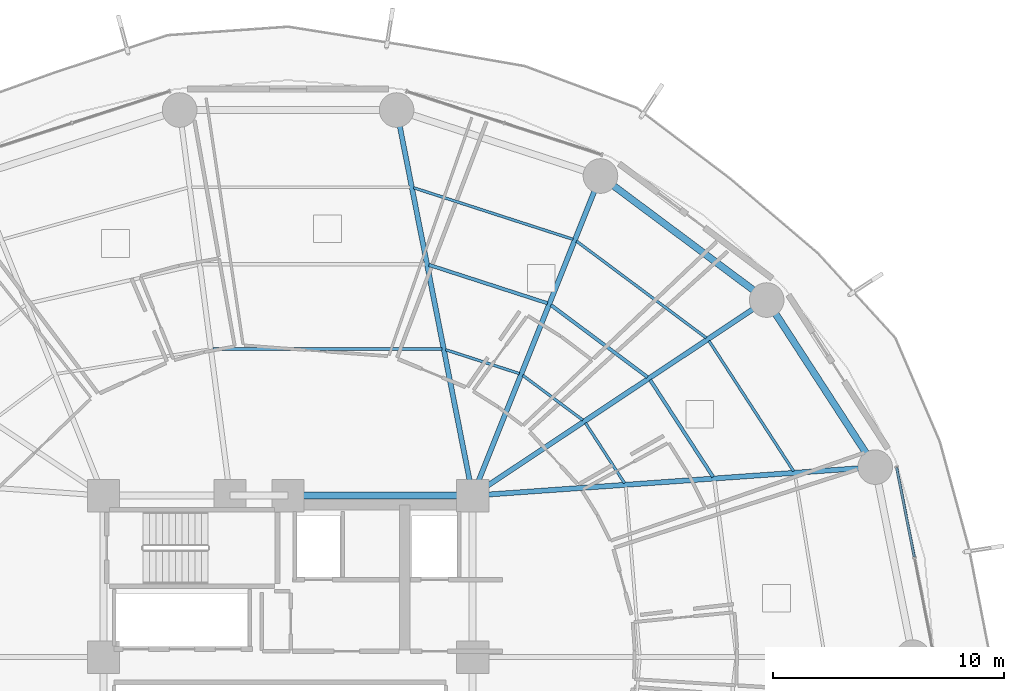
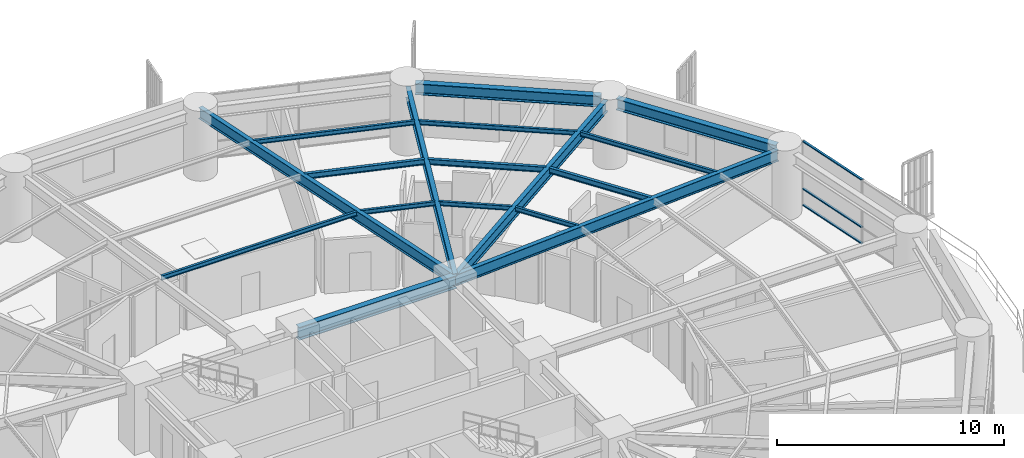
# One storey, part 19 of 32: 17 beams, 3 members, 1 element without a shape of its own.
"""IFC4 building model written with IfcOpenShell, lengths in metres."""

from ifc_helpers import new_model, si_unit, direction, frame, origin, origin_2d, place, context, subcontext, project, spatial, hollow_rectangle, i_section, extrude, material, layer, layer_set, material_profile, profile_set, type_object, element, aggregate, save


model = new_model("IFC4")

# Units and contexts
model_context = context("Model", 3, precision=1e-05, world=origin(), true_north=direction((0.0, 1.0)))
body_context = subcontext(model_context, "Body", "Model", "MODEL_VIEW")
ifc_project = project(units=[si_unit("LENGTHUNIT", "METRE"), si_unit("AREAUNIT", "SQUARE_METRE"), si_unit("VOLUMEUNIT", "CUBIC_METRE"), si_unit("PLANEANGLEUNIT", "RADIAN"), si_unit("MASSUNIT", "GRAM", prefix="KILO")], contexts=[model_context])

# Site, building, storey
site_placement = place(None, origin())
site = spatial("IfcSite", under=ifc_project, at=site_placement, CompositionType="ELEMENT")
building_placement = place(site_placement, origin())
building = spatial("IfcBuilding", under=site, at=building_placement, Name="Kelanora Arch Commons", CompositionType="ELEMENT")
storey_placement = place(building_placement, frame((0.0, 0.0, 60.0)))
storey = spatial("IfcBuildingStorey", under=building, at=storey_placement, Name="L15", CompositionType="ELEMENT", Elevation=60.0)

# Beams
ifc_material_1 = material(Name="Steel S355", Category="steel")
ifc_material_profile_1 = material_profile(ifc_material_1, i_section(OverallWidth=0.300048828125, OverallDepth=0.699951171875, WebThickness=0.01708984375, FlangeThickness=0.031982421875, FilletRadius=0.027099609375, at=origin_2d()), Name="HEB700")
ifc_profile_set_1 = profile_set([ifc_material_profile_1], Name="Steel S355")
beam_type_1 = type_object("IfcBeamType", Name="BM-CORE-HDR", PredefinedType="BEAM", material=ifc_profile_set_1)
beam_1_placement = place(storey_placement, frame((82.0, 65.0, 3.139892578125), z_axis=(-1.0, 0.0, 0.0), x_axis=(0.0, -1.0, 0.0)))
element("IfcBeam", 1, at=beam_1_placement, inside=storey, type_object=beam_type_1, Name="Core Header Beam 05 L15", PredefinedType="BEAM", context=body_context, shape_type="SweptSolid", body=[
    extrude(i_section(OverallWidth=0.300048828125, OverallDepth=0.699951171875, WebThickness=0.01708984375, FlangeThickness=0.031982421875, FilletRadius=0.027099609375, at=origin_2d()), origin(), (0.0, 0.0, 1.0), 8.0),
])
ifc_material_profile_2 = material_profile(ifc_material_1, i_section(OverallWidth=0.14990234375, OverallDepth=0.300048828125, WebThickness=0.007080078125, FlangeThickness=0.0107421875, FilletRadius=0.014892578125, at=origin_2d()), Name="IPE300")
ifc_profile_set_2 = profile_set([ifc_material_profile_2], Name="Steel S355")
beam_type_2 = type_object("IfcBeamType", Name="BM-JST-01", PredefinedType="JOIST", material=ifc_profile_set_2)
beam_2_placement = place(storey_placement, frame((92.421875, 65.812744140625, 3.340087890625), z_axis=(-0.544551588245, 0.838727350061, 0.0), x_axis=(-0.838727350061, -0.544551588245, 0.0)))
element("IfcBeam", 2, at=beam_2_placement, inside=storey, type_object=beam_type_2, Name="Secondary Chord Joist BJB-02 L15", PredefinedType="JOIST", context=body_context, shape_type="SweptSolid", body=[
    extrude(i_section(OverallWidth=0.14990234375, OverallDepth=0.300048828125, WebThickness=0.007080078125, FlangeThickness=0.0107421875, FilletRadius=0.014892578125, at=origin_2d()), origin(), (0.0, 0.0, 1.0), 5.010986328125),
])
beam_3_placement = place(storey_placement, frame((89.57861328125, 70.1376953125, 3.340087890625), z_axis=(-0.801478251559, 0.598023922831, 0.0), x_axis=(-0.598023922831, -0.801478251559, 0.0)))
element("IfcBeam", 3, at=beam_3_placement, inside=storey, type_object=beam_type_2, Name="Secondary Chord Joist BJB-04 L15", PredefinedType="JOIST", context=body_context, shape_type="SweptSolid", body=[
    extrude(i_section(OverallWidth=0.14990234375, OverallDepth=0.300048828125, WebThickness=0.007080078125, FlangeThickness=0.0107421875, FilletRadius=0.014892578125, at=origin_2d()), origin(), (0.0, 0.0, 1.0), 5.223388671875),
])
beam_4_placement = place(storey_placement, frame((85.2431640625, 73.33837890625, 3.340087890625), z_axis=(-0.951412209627, 0.307920131482, 0.0), x_axis=(-0.307920131482, -0.951412209627, 0.0)))
element("IfcBeam", 4, at=beam_4_placement, inside=storey, type_object=beam_type_2, Name="Secondary Chord Joist BJB-06 L15", PredefinedType="JOIST", context=body_context, shape_type="SweptSolid", body=[
    extrude(i_section(OverallWidth=0.14990234375, OverallDepth=0.300048828125, WebThickness=0.007080078125, FlangeThickness=0.0107421875, FilletRadius=0.014892578125, at=origin_2d()), origin(), (0.0, 0.0, 1.0), 5.4033203125),
])
ifc_material_profile_3 = material_profile(ifc_material_1, i_section(OverallWidth=0.1201171875, OverallDepth=0.239990234375, WebThickness=0.006103515625, FlangeThickness=0.009765625, FilletRadius=0.014892578125, at=origin_2d()), Name="IPE240")
ifc_profile_set_3 = profile_set([ifc_material_profile_3], Name="Steel S355")
beam_type_3 = type_object("IfcBeamType", Name="BM-JST-02", PredefinedType="JOIST", material=ifc_profile_set_3)
beam_5_placement = place(storey_placement, frame((88.58349609375, 65.541015625, 3.3701171875), z_axis=(-0.544591105858, 0.838701691557, 0.0), x_axis=(-0.838701691557, -0.544591105858, 0.0)))
element("IfcBeam", 5, at=beam_5_placement, inside=storey, type_object=beam_type_3, Name="Secondary Chord Joist BJA-02 L15", PredefinedType="JOIST", context=body_context, shape_type="SweptSolid", body=[
    extrude(i_section(OverallWidth=0.1201171875, OverallDepth=0.239990234375, WebThickness=0.006103515625, FlangeThickness=0.009765625, FilletRadius=0.014892578125, at=origin_2d()), origin(), (0.0, 0.0, 1.0), 3.111328125),
])
beam_6_placement = place(storey_placement, frame((95.9111328125, 66.059814453125, 3.3701171875), z_axis=(-0.544550165372, 0.838728273873, 0.0), x_axis=(-0.838728273873, -0.544550165372, 0.0)))
element("IfcBeam", 6, at=beam_6_placement, inside=storey, type_object=beam_type_3, Name="Secondary Chord Joist BJC-02 L15", PredefinedType="JOIST", context=body_context, shape_type="SweptSolid", body=[
    extrude(i_section(OverallWidth=0.1201171875, OverallDepth=0.239990234375, WebThickness=0.006103515625, FlangeThickness=0.009765625, FilletRadius=0.014892578125, at=origin_2d()), origin(), (0.0, 0.0, 1.0), 6.738037109375),
])
beam_7_placement = place(storey_placement, frame((86.77490234375, 68.272705078125, 3.3701171875), z_axis=(-0.801513822608, 0.59797624716, 0.0), x_axis=(-0.59797624716, -0.801513822608, 0.0)))
element("IfcBeam", 7, at=beam_7_placement, inside=storey, type_object=beam_type_3, Name="Secondary Chord Joist BJA-04 L15", PredefinedType="JOIST", context=body_context, shape_type="SweptSolid", body=[
    extrude(i_section(OverallWidth=0.1201171875, OverallDepth=0.239990234375, WebThickness=0.006103515625, FlangeThickness=0.009765625, FilletRadius=0.014892578125, at=origin_2d()), origin(), (0.0, 0.0, 1.0), 3.245849609375),
])
beam_8_placement = place(storey_placement, frame((92.12744140625, 71.83349609375, 3.3701171875), z_axis=(-0.80149131963, 0.598006408459, 0.0), x_axis=(-0.598006408459, -0.80149131963, 0.0)))
element("IfcBeam", 8, at=beam_8_placement, inside=storey, type_object=beam_type_3, Name="Secondary Chord Joist BJC-04 L15", PredefinedType="JOIST", context=body_context, shape_type="SweptSolid", body=[
    extrude(i_section(OverallWidth=0.1201171875, OverallDepth=0.239990234375, WebThickness=0.006103515625, FlangeThickness=0.009765625, FilletRadius=0.014892578125, at=origin_2d()), origin(), (0.0, 0.0, 1.0), 7.021240234375),
])
beam_9_placement = place(storey_placement, frame((84.0244140625, 70.290771484375, 3.3701171875), z_axis=(-0.951422608074, 0.30788800049, 0.0), x_axis=(-0.30788800049, -0.951422608074, 0.0)))
element("IfcBeam", 9, at=beam_9_placement, inside=storey, type_object=beam_type_3, Name="Secondary Chord Joist BJA-06 L15", PredefinedType="JOIST", context=body_context, shape_type="SweptSolid", body=[
    extrude(i_section(OverallWidth=0.1201171875, OverallDepth=0.239990234375, WebThickness=0.006103515625, FlangeThickness=0.009765625, FilletRadius=0.014892578125, at=origin_2d()), origin(), (0.0, 0.0, 1.0), 3.359619140625),
])
beam_10_placement = place(storey_placement, frame((86.35107421875, 76.109375, 3.3701171875), z_axis=(-0.951410915705, 0.307924129418, 0.0), x_axis=(-0.307924129418, -0.951410915705, 0.0)))
element("IfcBeam", 10, at=beam_10_placement, inside=storey, type_object=beam_type_3, Name="Secondary Chord Joist BJC-06 L15", PredefinedType="JOIST", context=body_context, shape_type="SweptSolid", body=[
    extrude(i_section(OverallWidth=0.1201171875, OverallDepth=0.239990234375, WebThickness=0.006103515625, FlangeThickness=0.009765625, FilletRadius=0.014892578125, at=origin_2d()), origin(), (0.0, 0.0, 1.0), 7.260986328125),
])
beam_11_placement = place(storey_placement, frame((80.661865234375, 71.351318359375, 3.3701171875), z_axis=(-1.0, 0.0, 0.0), x_axis=(0.0, -1.0, 0.0)))
element("IfcBeam", 11, at=beam_11_placement, inside=storey, type_object=beam_type_3, Name="Secondary Chord Joist BJA-08 L15", PredefinedType="JOIST", context=body_context, shape_type="SweptSolid", body=[
    extrude(i_section(OverallWidth=0.1201171875, OverallDepth=0.239990234375, WebThickness=0.006103515625, FlangeThickness=0.009765625, FilletRadius=0.014892578125, at=origin_2d()), origin(), (0.0, 0.0, 1.0), 9.92626953125),
])
ifc_material_profile_4 = material_profile(ifc_material_1, i_section(OverallWidth=0.219970703125, OverallDepth=0.60009765625, WebThickness=0.011962890625, FlangeThickness=0.01904296875, FilletRadius=0.02392578125, at=origin_2d()), Name="IPE600")
ifc_profile_set_4 = profile_set([ifc_material_profile_4], Name="Steel S355")
beam_type_4 = type_object("IfcBeamType", Name="BM-RAD-Z1", PredefinedType="BEAM", material=ifc_profile_set_4)
beam_12_placement = place(storey_placement, frame((82.0, 65.0, 3.18994140625), z_axis=(0.997500678462, 0.070656892572, 0.0), x_axis=(-0.070656892572, 0.997500678462, 0.0)))
element("IfcBeam", 12, at=beam_12_placement, inside=storey, type_object=beam_type_4, Name="Radial Floor Girder BR-02 L15", PredefinedType="BEAM", context=body_context, shape_type="SweptSolid", body=[
    extrude(i_section(OverallWidth=0.219970703125, OverallDepth=0.60009765625, WebThickness=0.011962890625, FlangeThickness=0.01904296875, FilletRadius=0.02392578125, at=origin_2d()), origin(), (0.0, 0.0, 1.0), 17.110595703125),
])
beam_13_placement = place(storey_placement, frame((82.0, 65.0, 3.18994140625), z_axis=(0.832590897434, 0.553888434173, 0.0), x_axis=(-0.553888434173, 0.832590897434, 0.0)))
element("IfcBeam", 13, at=beam_13_placement, inside=storey, type_object=beam_type_4, Name="Radial Floor Girder BR-04 L15", PredefinedType="BEAM", context=body_context, shape_type="SweptSolid", body=[
    extrude(i_section(OverallWidth=0.219970703125, OverallDepth=0.60009765625, WebThickness=0.011962890625, FlangeThickness=0.01904296875, FilletRadius=0.02392578125, at=origin_2d()), origin(), (0.0, 0.0, 1.0), 14.9267578125),
])
beam_14_placement = place(storey_placement, frame((82.0, 65.0, 3.18994140625), z_axis=(0.37129803903, 0.928513740454, 0.0), x_axis=(-0.928513740454, 0.37129803903, 0.0)))
element("IfcBeam", 14, at=beam_14_placement, inside=storey, type_object=beam_type_4, Name="Radial Floor Girder BR-06 L15", PredefinedType="BEAM", context=body_context, shape_type="SweptSolid", body=[
    extrude(i_section(OverallWidth=0.219970703125, OverallDepth=0.60009765625, WebThickness=0.011962890625, FlangeThickness=0.01904296875, FilletRadius=0.02392578125, at=origin_2d()), origin(), (0.0, 0.0, 1.0), 14.540771484375),
])
beam_15_placement = place(storey_placement, frame((82.0, 65.0, 3.18994140625), z_axis=(-0.19356352044, 0.981087745084, 0.0), x_axis=(-0.981087745084, -0.19356352044, 0.0)))
element("IfcBeam", 15, at=beam_15_placement, inside=storey, type_object=beam_type_4, Name="Radial Floor Girder BR-08 L15", PredefinedType="BEAM", context=body_context, shape_type="SweptSolid", body=[
    extrude(i_section(OverallWidth=0.219970703125, OverallDepth=0.60009765625, WebThickness=0.011962890625, FlangeThickness=0.01904296875, FilletRadius=0.02392578125, at=origin_2d()), origin(), (0.0, 0.0, 1.0), 17.036376953125),
])
ifc_material_profile_5 = material_profile(ifc_material_1, i_section(OverallWidth=0.300048828125, OverallDepth=0.60009765625, WebThickness=0.015380859375, FlangeThickness=0.030029296875, FilletRadius=0.027099609375, at=origin_2d()), Name="HEB600")
ifc_profile_set_5 = profile_set([ifc_material_profile_5], Name="Steel S355")
beam_type_5 = type_object("IfcBeamType", Name="BM-SPN-Z1", PredefinedType="SPANDREL", material=ifc_profile_set_5)
beam_16_placement = place(storey_placement, frame((99.239990234375, 66.554443359375, 3.18994140625), z_axis=(-0.54455786519, 0.838723274662, 0.0), x_axis=(-0.838723274662, -0.54455786519, 0.0)))
element("IfcBeam", 16, at=beam_16_placement, inside=storey, type_object=beam_type_5, Name="Perimeter Spandrel Beam BS-02 L15", PredefinedType="SPANDREL", context=body_context, shape_type="SweptSolid", body=[
    extrude(i_section(OverallWidth=0.300048828125, OverallDepth=0.60009765625, WebThickness=0.015380859375, FlangeThickness=0.030029296875, FilletRadius=0.027099609375, at=origin_2d()), origin(), (0.0, 0.0, 1.0), 7.875244140625),
])
beam_17_placement = place(storey_placement, frame((94.43994140625, 73.70556640625, 3.18994140625), z_axis=(-0.801482139897, 0.598018711601, 0.0), x_axis=(-0.598018711601, -0.801482139897, 0.0)))
element("IfcBeam", 17, at=beam_17_placement, inside=storey, type_object=beam_type_5, Name="Perimeter Spandrel Beam BS-04 L15", PredefinedType="SPANDREL", context=body_context, shape_type="SweptSolid", body=[
    extrude(i_section(OverallWidth=0.300048828125, OverallDepth=0.60009765625, WebThickness=0.015380859375, FlangeThickness=0.030029296875, FilletRadius=0.027099609375, at=origin_2d()), origin(), (0.0, 0.0, 1.0), 8.22900390625),
])

# Curtain wall, members
ifc_material_2 = material(Name="Terracotta ceramic-fritted low-E glass and aluminium", Category="masonry")
ifc_layer = layer(ifc_material_2, 0.159912109375)
ifc_layer_set = layer_set([ifc_layer], Name="Terracotta ceramic-fritted low-E glass and aluminium")
curtain_wall_type = type_object("IfcCurtainWallType", Name="CW-SYS-01", PredefinedType="NOTDEFINED", material=ifc_layer_set)
curtain_wall_placement = place(storey_placement, origin())
curtain_wall = element("IfcCurtainWall", 18, at=curtain_wall_placement, inside=storey, type_object=curtain_wall_type, Name="Unitised Curtain Wall L15-B00", PredefinedType="NOTDEFINED")
ifc_material_3 = material(Name="Powder-coated aluminium terracotta", Category="masonry")
ifc_material_profile_6 = material_profile(ifc_material_3, hollow_rectangle(XDim=0.1201171875, YDim=0.06005859375, WallThickness=0.0048828125, InnerFilletRadius=0.0048828125, OuterFilletRadius=0.010009765625, at=origin_2d()), Name="CWT120x60")
ifc_profile_set_6 = profile_set([ifc_material_profile_6], Name="Powder-coated aluminium terracotta")
member_type = type_object("IfcMemberType", Name="CWT-STD", PredefinedType="USERDEFINED", material=ifc_profile_set_6)
member_1_placement = place(storey_placement, frame((101.142578125, 62.3408203125, 0.030029296875), z_axis=(-0.193725436624, 0.98105578598, 0.0), x_axis=(-0.98105578598, -0.193725436624, 0.0)))
member_1 = element("IfcMember", 19, at=member_1_placement, type_object=member_type, Name="CW-01 transom 2.1", ObjectType="TRANSOM", PredefinedType="USERDEFINED", context=body_context, shape_type="SweptSolid", body=[
    extrude(hollow_rectangle(XDim=0.1201171875, YDim=0.06005859375, WallThickness=0.0048828125, InnerFilletRadius=0.0048828125, OuterFilletRadius=0.010009765625, at=origin_2d()), origin(), (0.0, 0.0, 1.0), 3.9482421875),
])
member_2_placement = place(storey_placement, frame((101.142578125, 62.3408203125, 0.89990234375), z_axis=(-0.193725436624, 0.98105578598, 0.0), x_axis=(-0.98105578598, -0.193725436624, 0.0)))
member_2 = element("IfcMember", 20, at=member_2_placement, type_object=member_type, Name="CW-01 transom 2.2", ObjectType="TRANSOM", PredefinedType="USERDEFINED", context=body_context, shape_type="SweptSolid", body=[
    extrude(hollow_rectangle(XDim=0.1201171875, YDim=0.06005859375, WallThickness=0.0048828125, InnerFilletRadius=0.0048828125, OuterFilletRadius=0.010009765625, at=origin_2d()), origin(), (0.0, 0.0, 1.0), 3.9482421875),
])
member_3_placement = place(storey_placement, frame((101.142578125, 62.3408203125, 3.445068359375), z_axis=(-0.193725436624, 0.98105578598, 0.0), x_axis=(-0.98105578598, -0.193725436624, 0.0)))
member_3 = element("IfcMember", 21, at=member_3_placement, type_object=member_type, Name="CW-01 transom 2.3", ObjectType="TRANSOM", PredefinedType="USERDEFINED", context=body_context, shape_type="SweptSolid", body=[
    extrude(hollow_rectangle(XDim=0.1201171875, YDim=0.06005859375, WallThickness=0.0048828125, InnerFilletRadius=0.0048828125, OuterFilletRadius=0.010009765625, at=origin_2d()), origin(), (0.0, 0.0, 1.0), 3.9482421875),
])
aggregate(curtain_wall, [member_1, member_2, member_3])

save(model, "model.ifc")
